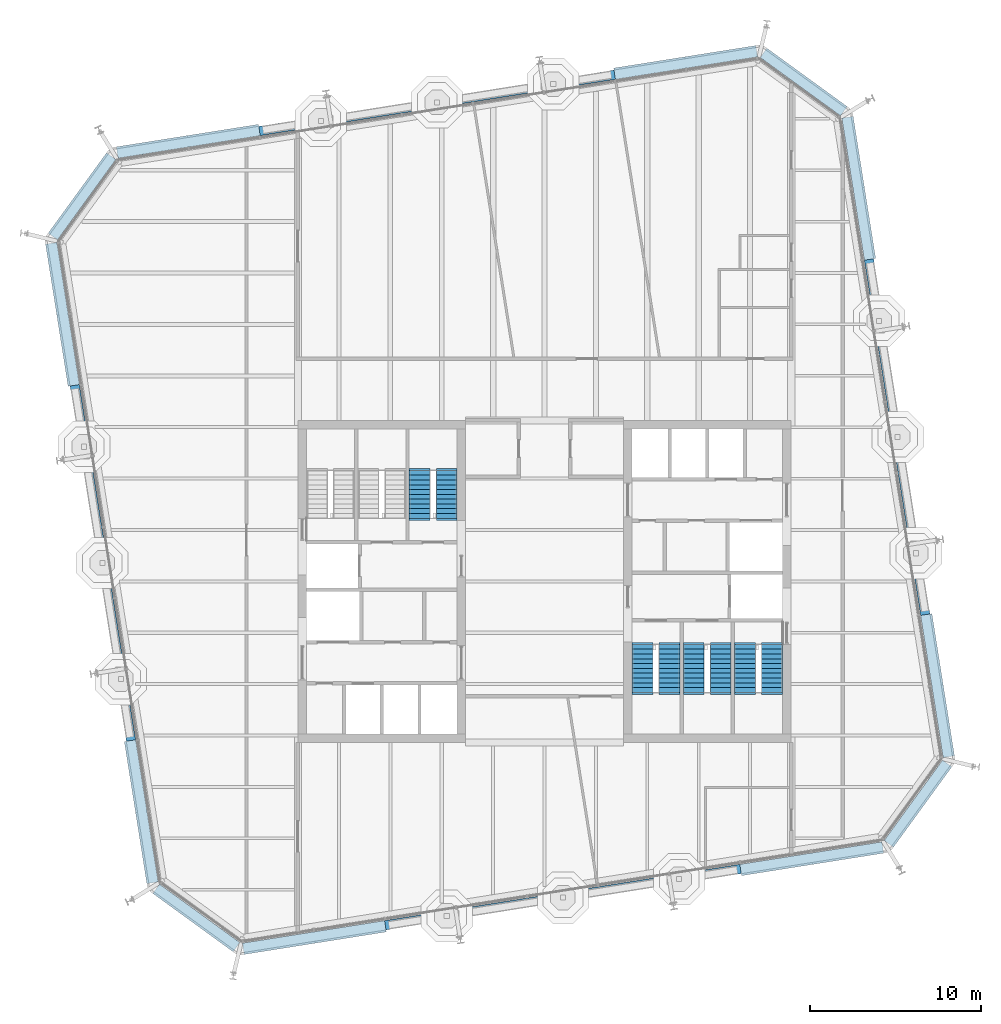
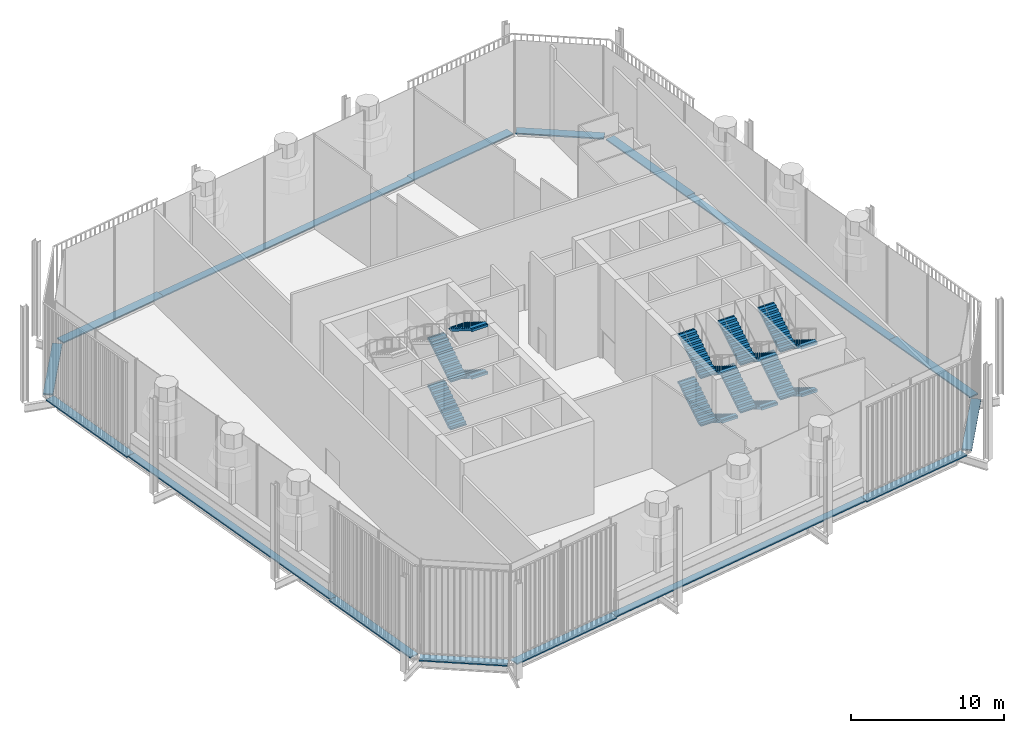
# One storey, part 14 of 17: 16 discrete accessories, 16 stair flights, 4 elements without a shape of their own.
"""IFC4 building model written with IfcOpenShell, lengths in metres."""

import ifcopenshell
import ifcopenshell.guid

model = None  # the IFC model being written
_history = None  # IfcOwnerHistory: only IFC2X3 demands one
_inside = {}  # id of a spatial element -> (the spatial element, [elements in it])
_under = {}  # id of a project, library or spatial element -> (it, [spatial elements below it])
_declared = {}  # id of a project -> (the project, [libraries it declares])
_typed = {}  # id of a type object -> (the type object, [elements of that type])
_made_of = {}  # id of a material, layer set ... -> (it, [elements and type objects made of it])


def new_model(schema):
    """Start an empty IFC model of exactly this schema.

    Asked for "IFC4X3", IfcOpenShell would pick the latest addendum, in which some entities
    have other attributes; the version numbers below select the first issue.
    IFC2X3 requires an IfcOwnerHistory on every rooted entity: one is made here for all.
    """
    global model, _history
    if schema == "IFC4X3":
        model = ifcopenshell.file(schema_version=(4, 3, 0, 0))
    else:
        model = ifcopenshell.file(schema=schema)
    _inside.clear()
    _under.clear()
    _declared.clear()
    _typed.clear()
    _made_of.clear()
    _history = None
    if model.schema == "IFC2X3":
        org = make("IfcOrganization", Name="unknown")
        user = make(
            "IfcPersonAndOrganization",
            ThePerson=make("IfcPerson", FamilyName="unknown"),
            TheOrganization=org,
        )
        app = make(
            "IfcApplication",
            ApplicationDeveloper=org,
            Version="unknown",
            ApplicationFullName="unknown",
            ApplicationIdentifier="unknown",
        )
        _history = make(
            "IfcOwnerHistory",
            OwningUser=user,
            OwningApplication=app,
            ChangeAction="ADDED",
            CreationDate=0,
        )
    return model


def make(cls, **values):
    """One entity of the class cls with the attributes given. An attribute that is None is left unset."""
    return model.create_entity(
        cls, **{name: value for name, value in values.items() if value is not None}
    )


def rooted(cls, **values):
    """An entity with a GlobalId (a new one), such as an element, a storey or a relation."""
    return make(cls, GlobalId=ifcopenshell.guid.new(), OwnerHistory=_history, **values)


def si_unit(unit_type, name, prefix=None):
    """IfcSIUnit, for example si_unit("LENGTHUNIT", "METRE", prefix="MILLI")."""
    return make("IfcSIUnit", UnitType=unit_type, Prefix=prefix, Name=name)


def assignment(units):
    """IfcUnitAssignment: the units of a project."""
    return None if units is None else make("IfcUnitAssignment", Units=units)


def point(xyz):
    """IfcCartesianPoint."""
    return None if xyz is None else make("IfcCartesianPoint", Coordinates=xyz)


def direction(xyz):
    """IfcDirection."""
    return None if xyz is None else make("IfcDirection", DirectionRatios=xyz)


def frame(location, z_axis=None, x_axis=None):
    """IfcAxis2Placement3D, a coordinate frame: its origin and axes. An axis left out is left unset."""
    return make(
        "IfcAxis2Placement3D",
        Location=point(location),
        Axis=direction(z_axis),
        RefDirection=direction(x_axis),
    )


def frame_2d(location, x_axis=None):
    """IfcAxis2Placement2D, a coordinate frame in the plane: its origin and x axis."""
    return make(
        "IfcAxis2Placement2D", Location=point(location), RefDirection=direction(x_axis)
    )


def origin():
    """The frame at (0, 0, 0) with its axes left unset."""
    return frame((0.0, 0.0, 0.0))


def origin_2d():
    """The frame at (0, 0) in the plane with its x axis left unset."""
    return frame_2d((0.0, 0.0))


def place(relative_to, where):
    """IfcLocalPlacement: puts the frame where relative to a parent placement (None: the world)."""
    return make(
        "IfcLocalPlacement", PlacementRelTo=relative_to, RelativePlacement=where
    )


def context(
    kind, dimensions, precision=None, world=None, true_north=None, identifier=None
):
    """IfcGeometricRepresentationContext, for example the 3D "Model" context."""
    return make(
        "IfcGeometricRepresentationContext",
        ContextIdentifier=identifier,
        ContextType=kind,
        CoordinateSpaceDimension=dimensions,
        Precision=precision,
        WorldCoordinateSystem=world,
        TrueNorth=true_north,
    )


def subcontext(parent, identifier, kind, view, scale=None):
    """IfcGeometricRepresentationSubContext, for example "Body" below "Model"."""
    return make(
        "IfcGeometricRepresentationSubContext",
        ContextIdentifier=identifier,
        ContextType=kind,
        ParentContext=parent,
        TargetScale=scale,
        TargetView=view,
    )


def project(units=None, contexts=None):
    """IfcProject with its units and contexts."""
    return rooted(
        "IfcProject",
        Name="project",
        RepresentationContexts=contexts,
        UnitsInContext=assignment(units),
    )


def spatial(cls, under=None, at=None, **own):
    """A site, building, storey or space (cls), placed at a placement, below another one or the project."""
    s = rooted(cls, ObjectPlacement=at, **own)
    if under is not None:
        _under.setdefault(under.id(), (under, []))[1].append(s)
    return s


def polyline(points):
    """IfcPolyline through the points."""
    return make("IfcPolyline", Points=[point(p) for p in points])


def profile(cls, at=None, kind="AREA", **sizes):
    """A parametric profile (cls). Its sizes go by their IFC names, for example OverallWidth=200.0."""
    return make(cls, ProfileType=kind, Position=at, **sizes)


def rectangle(**sizes):
    """IfcRectangleProfileDef."""
    return profile("IfcRectangleProfileDef", **sizes)


def outline(outer, holes=None, kind="AREA"):
    """IfcArbitraryClosedProfileDef: a profile drawn as a closed curve; with holes, ...WithVoids."""
    if holes is None:
        return make("IfcArbitraryClosedProfileDef", ProfileType=kind, OuterCurve=outer)
    return make(
        "IfcArbitraryProfileDefWithVoids",
        ProfileType=kind,
        OuterCurve=outer,
        InnerCurves=holes,
    )


def extrude(swept, where, along, depth):
    """IfcExtrudedAreaSolid: the profile swept, set in the frame where, extruded along a direction by depth."""
    return make(
        "IfcExtrudedAreaSolid",
        SweptArea=swept,
        Position=where,
        ExtrudedDirection=direction(along),
        Depth=depth,
    )


def shape(context_of_items, identifier, shape_type, items):
    """IfcShapeRepresentation: the items that make up one representation, for example the "Body"."""
    return make(
        "IfcShapeRepresentation",
        ContextOfItems=context_of_items,
        RepresentationIdentifier=identifier,
        RepresentationType=shape_type,
        Items=items,
    )


def material(Name=None, Category=None):
    """IfcMaterial."""
    return make("IfcMaterial", Name=Name, Category=Category)


def made_of(thing, what):
    """Note that an element or type object is made of a material, layer set ...; save() writes the relation."""
    if what is not None:
        _made_of.setdefault(what.id(), (what, []))[1].append(thing)
    return thing


def type_object(cls, material=None, **own):
    """A type object (cls), such as IfcWallType, which elements share."""
    return made_of(rooted(cls, **own), material)


def element(
    cls,
    number,
    at=None,
    inside=None,
    cuts=None,
    type_object=None,
    material=None,
    context=None,
    identifier="Body",
    shape_type=None,
    held_by="IfcProductDefinitionShape",
    body=None,
    shapes=None,
    **own,
):
    """One element of the class cls, such as IfcWall. Its Tag is "e" and its number.

    at: its placement. inside: the storey or other place that contains it. cuts: it is an
    opening in that element (IfcRelVoidsElement). A single representation is given by context,
    identifier, shape_type and body (its items); several are given by shapes. held_by: the class
    of the entity that holds the representations. save() writes the other relations.
    """
    e = rooted(cls, Tag="e%d" % number, ObjectPlacement=at, **own)
    if body is not None:
        shapes = [shape(context, identifier, shape_type, body)]
    if shapes is not None:
        e.Representation = make(held_by, Representations=shapes)
    if inside is not None:
        _inside.setdefault(inside.id(), (inside, []))[1].append(e)
    if cuts is not None:
        rooted(
            "IfcRelVoidsElement", RelatingBuildingElement=cuts, RelatedOpeningElement=e
        )
    if type_object is not None:
        _typed.setdefault(type_object.id(), (type_object, []))[1].append(e)
    return made_of(e, material)


def aggregate(whole, parts):
    """IfcRelAggregates: a whole, such as a stair, and the parts it consists of."""
    return rooted("IfcRelAggregates", RelatingObject=whole, RelatedObjects=parts)


def save(model, path):
    """Write the relations noted so far, then the file.

    IfcRelAggregates (storeys below a building ...), IfcRelContainedInSpatialStructure (elements
    in a storey), IfcRelDefinesByType, IfcRelAssociatesMaterial and IfcRelDeclares: one each for
    every whole, place, type object, material and project.
    """
    for whole, parts in _under.values():
        aggregate(whole, parts)
    for where, things in _inside.values():
        rooted(
            "IfcRelContainedInSpatialStructure",
            RelatedElements=things,
            RelatingStructure=where,
        )
    for kind, things in _typed.values():
        rooted("IfcRelDefinesByType", RelatedObjects=things, RelatingType=kind)
    for what, things in _made_of.values():
        rooted("IfcRelAssociatesMaterial", RelatedObjects=things, RelatingMaterial=what)
    for by, libraries in _declared.values():
        rooted("IfcRelDeclares", RelatingContext=by, RelatedDefinitions=libraries)
    model.write(path)


model = new_model("IFC4")

# Units and contexts
model_context = context("Model", 3, precision=1e-05, world=origin(), true_north=direction((0.0, 1.0)))
body_context = subcontext(model_context, "Body", "Model", "MODEL_VIEW")
ifc_project = project(units=[si_unit("LENGTHUNIT", "METRE"), si_unit("AREAUNIT", "SQUARE_METRE"), si_unit("VOLUMEUNIT", "CUBIC_METRE"), si_unit("PLANEANGLEUNIT", "RADIAN"), si_unit("MASSUNIT", "GRAM", prefix="KILO")], contexts=[model_context])

# Site, building, storey
site_placement = place(None, origin())
site = spatial("IfcSite", under=ifc_project, at=site_placement, CompositionType="ELEMENT")
building_placement = place(site_placement, origin())
building = spatial("IfcBuilding", under=site, at=building_placement, Name="Millrace Tower", CompositionType="ELEMENT")
storey_placement = place(building_placement, frame((0.0, 0.0, 239.800048828125)))
storey = spatial("IfcBuildingStorey", under=building, at=storey_placement, Name="L55", CompositionType="ELEMENT", Elevation=239.800048828125)

# Stair, stair flights
ifc_material_1 = material(Name="Concrete C35", Category="concrete")
stair_type = type_object("IfcStairType", Name="Exit stair", PredefinedType="HALF_TURN_STAIR", material=ifc_material_1)
placement = place(storey_placement, origin())
stair_1 = element("IfcStair", 1, at=placement, inside=storey, type_object=stair_type, Name="Stair 3 W L55", PredefinedType="HALF_TURN_STAIR")
ifc_material_2 = material(Name="Concrete C35", Category="concrete")
stair_flight_type = type_object("IfcStairFlightType", Name="Exit stair flight", PredefinedType="STRAIGHT", material=ifc_material_2)
stair_flight_1_placement = place(storey_placement, frame((-7.2900390625, 3.679931640625, 0.0), z_axis=(0.0, 0.0, 1.0), x_axis=(0.0, 1.0, 0.0)))
stair_flight_1 = element("IfcStairFlight", 2, at=stair_flight_1_placement, type_object=stair_flight_type, Name="ST12 flight 1", NumberOfRisers=11, NumberOfTreads=10, PredefinedType="STRAIGHT", RiserHeight=0.172727273, TreadLength=0.28, context=body_context, shape_type="SweptSolid", body=[
    extrude(outline(polyline([(-0.1201171875, -0.0400390625), (-0.1201171875, 0.0), (0.0, 0.0), (0.0, 0.172607421875), (0.280029296875, 0.172607421875), (0.280029296875, 0.345458984375), (0.56005859375, 0.345458984375), (0.56005859375, 0.51806640625), (0.840087890625, 0.51806640625), (0.840087890625, 0.69091796875), (1.1201171875, 0.69091796875), (1.1201171875, 0.863525390625), (1.39990234375, 0.863525390625), (1.39990234375, 1.036376953125), (1.679931640625, 1.036376953125), (1.679931640625, 1.208984375), (1.9599609375, 1.208984375), (1.9599609375, 1.3818359375), (2.239990234375, 1.3818359375), (2.239990234375, 1.554443359375), (2.52001953125, 1.554443359375), (2.52001953125, 1.727294921875), (2.800048828125, 1.727294921875), (2.800048828125, 1.747314453125), (2.919921875, 1.747314453125), (2.919921875, 1.551025390625), (2.800048828125, 1.551025390625), (0.285400390625, 0.0), (0.285400390625, -0.0400390625), (-0.1201171875, -0.0400390625)])), frame((0.0, 0.60986328125, 0.0), z_axis=(0.0, -1.0, 0.0), x_axis=(1.0, 0.0, 0.0)), (0.0, 0.0, 1.0), 1.219970703125),
])
stair_flight_2_placement = place(storey_placement, frame((-5.7099609375, 6.47998046875, 1.89990234375), z_axis=(0.0, 0.0, 1.0), x_axis=(0.0, -1.0, 0.0)))
stair_flight_2 = element("IfcStairFlight", 3, at=stair_flight_2_placement, type_object=stair_flight_type, Name="ST12 flight 2", NumberOfRisers=11, NumberOfTreads=10, PredefinedType="STRAIGHT", RiserHeight=0.172727273, TreadLength=0.28, context=body_context, shape_type="SweptSolid", body=[
    extrude(outline(polyline([(-0.1201171875, -0.0400390625), (-0.1201171875, 0.0), (0.0, 0.0), (0.0, 0.172607421875), (0.280029296875, 0.172607421875), (0.280029296875, 0.345458984375), (0.56005859375, 0.345458984375), (0.56005859375, 0.51806640625), (0.840087890625, 0.51806640625), (0.840087890625, 0.69091796875), (1.1201171875, 0.69091796875), (1.1201171875, 0.863525390625), (1.39990234375, 0.863525390625), (1.39990234375, 1.036376953125), (1.679931640625, 1.036376953125), (1.679931640625, 1.208984375), (1.9599609375, 1.208984375), (1.9599609375, 1.3818359375), (2.239990234375, 1.3818359375), (2.239990234375, 1.554443359375), (2.52001953125, 1.554443359375), (2.52001953125, 1.727294921875), (2.800048828125, 1.727294921875), (2.800048828125, 1.747314453125), (2.919921875, 1.747314453125), (2.919921875, 1.551025390625), (2.800048828125, 1.551025390625), (0.285400390625, 0.0), (0.285400390625, -0.0400390625), (-0.1201171875, -0.0400390625)])), frame((0.0, 0.60986328125, 0.0), z_axis=(0.0, -1.0, 0.0), x_axis=(1.0, 0.0, 0.0)), (0.0, 0.0, 1.0), 1.219970703125),
])
stair_flight_3_placement = place(storey_placement, frame((-7.2900390625, 3.679931640625, 3.800048828125), z_axis=(0.0, 0.0, 1.0), x_axis=(0.0, 1.0, 0.0)))
stair_flight_3 = element("IfcStairFlight", 4, at=stair_flight_3_placement, type_object=stair_flight_type, Name="ST12 flight 3", NumberOfRisers=11, NumberOfTreads=10, PredefinedType="STRAIGHT", RiserHeight=0.172727273, TreadLength=0.28, context=body_context, shape_type="SweptSolid", body=[
    extrude(outline(polyline([(-0.1201171875, -0.0400390625), (-0.1201171875, 0.0), (0.0, 0.0), (0.0, 0.172607421875), (0.280029296875, 0.172607421875), (0.280029296875, 0.345458984375), (0.56005859375, 0.345458984375), (0.56005859375, 0.51806640625), (0.840087890625, 0.51806640625), (0.840087890625, 0.69091796875), (1.1201171875, 0.69091796875), (1.1201171875, 0.863525390625), (1.39990234375, 0.863525390625), (1.39990234375, 1.036376953125), (1.679931640625, 1.036376953125), (1.679931640625, 1.208984375), (1.9599609375, 1.208984375), (1.9599609375, 1.3818359375), (2.239990234375, 1.3818359375), (2.239990234375, 1.554443359375), (2.52001953125, 1.554443359375), (2.52001953125, 1.727294921875), (2.800048828125, 1.727294921875), (2.800048828125, 1.747314453125), (2.919921875, 1.747314453125), (2.919921875, 1.551025390625), (2.800048828125, 1.551025390625), (0.285400390625, 0.0), (0.285400390625, -0.0400390625), (-0.1201171875, -0.0400390625)])), frame((0.0, 0.60986328125, 0.0), z_axis=(0.0, -1.0, 0.0), x_axis=(1.0, 0.0, 0.0)), (0.0, 0.0, 1.0), 1.219970703125),
])
stair_flight_4_placement = place(storey_placement, frame((-5.7099609375, 6.47998046875, 5.699951171875), z_axis=(0.0, 0.0, 1.0), x_axis=(0.0, -1.0, 0.0)))
stair_flight_4 = element("IfcStairFlight", 5, at=stair_flight_4_placement, type_object=stair_flight_type, Name="ST12 flight 4", NumberOfRisers=11, NumberOfTreads=10, PredefinedType="STRAIGHT", RiserHeight=0.172727273, TreadLength=0.28, context=body_context, shape_type="SweptSolid", body=[
    extrude(outline(polyline([(-0.1201171875, -0.0400390625), (-0.1201171875, 0.0), (0.0, 0.0), (0.0, 0.172607421875), (0.280029296875, 0.172607421875), (0.280029296875, 0.345458984375), (0.56005859375, 0.345458984375), (0.56005859375, 0.51806640625), (0.840087890625, 0.51806640625), (0.840087890625, 0.69091796875), (1.1201171875, 0.69091796875), (1.1201171875, 0.863525390625), (1.39990234375, 0.863525390625), (1.39990234375, 1.036376953125), (1.679931640625, 1.036376953125), (1.679931640625, 1.208984375), (1.9599609375, 1.208984375), (1.9599609375, 1.3818359375), (2.239990234375, 1.3818359375), (2.239990234375, 1.554443359375), (2.52001953125, 1.554443359375), (2.52001953125, 1.727294921875), (2.800048828125, 1.727294921875), (2.800048828125, 1.747314453125), (2.919921875, 1.747314453125), (2.919921875, 1.551025390625), (2.800048828125, 1.551025390625), (0.285400390625, 0.0), (0.285400390625, -0.0400390625), (-0.1201171875, -0.0400390625)])), frame((0.0, 0.60986328125, 0.0), z_axis=(0.0, -1.0, 0.0), x_axis=(1.0, 0.0, 0.0)), (0.0, 0.0, 1.0), 1.219970703125),
])
aggregate(stair_1, [stair_flight_1, stair_flight_2, stair_flight_3, stair_flight_4])

stair_2 = element("IfcStair", 6, at=placement, inside=storey, type_object=stair_type, Name="Stair 1 E L55", PredefinedType="HALF_TURN_STAIR")
stair_flight_5_placement = place(storey_placement, frame((13.2900390625, -3.679931640625, 0.0), z_axis=(0.0, 0.0, 1.0), x_axis=(0.0, -1.0, 0.0)))
stair_flight_5 = element("IfcStairFlight", 7, at=stair_flight_5_placement, type_object=stair_flight_type, Name="ST12 flight 1", NumberOfRisers=11, NumberOfTreads=10, PredefinedType="STRAIGHT", RiserHeight=0.172727273, TreadLength=0.28, context=body_context, shape_type="SweptSolid", body=[
    extrude(outline(polyline([(-0.1201171875, -0.0400390625), (-0.1201171875, 0.0), (0.0, 0.0), (0.0, 0.172607421875), (0.280029296875, 0.172607421875), (0.280029296875, 0.345458984375), (0.56005859375, 0.345458984375), (0.56005859375, 0.51806640625), (0.840087890625, 0.51806640625), (0.840087890625, 0.69091796875), (1.1201171875, 0.69091796875), (1.1201171875, 0.863525390625), (1.39990234375, 0.863525390625), (1.39990234375, 1.036376953125), (1.679931640625, 1.036376953125), (1.679931640625, 1.208984375), (1.9599609375, 1.208984375), (1.9599609375, 1.3818359375), (2.239990234375, 1.3818359375), (2.239990234375, 1.554443359375), (2.52001953125, 1.554443359375), (2.52001953125, 1.727294921875), (2.800048828125, 1.727294921875), (2.800048828125, 1.747314453125), (2.919921875, 1.747314453125), (2.919921875, 1.551025390625), (2.800048828125, 1.551025390625), (0.285400390625, 0.0), (0.285400390625, -0.0400390625), (-0.1201171875, -0.0400390625)])), frame((0.0, 0.60986328125, 0.0), z_axis=(0.0, -1.0, 0.0), x_axis=(1.0, 0.0, 0.0)), (0.0, 0.0, 1.0), 1.219970703125),
])
stair_flight_6_placement = place(storey_placement, frame((11.7099609375, -6.47998046875, 1.89990234375), z_axis=(0.0, 0.0, 1.0), x_axis=(0.0, 1.0, 0.0)))
stair_flight_6 = element("IfcStairFlight", 8, at=stair_flight_6_placement, type_object=stair_flight_type, Name="ST12 flight 2", NumberOfRisers=11, NumberOfTreads=10, PredefinedType="STRAIGHT", RiserHeight=0.172727273, TreadLength=0.28, context=body_context, shape_type="SweptSolid", body=[
    extrude(outline(polyline([(-0.1201171875, -0.0400390625), (-0.1201171875, 0.0), (0.0, 0.0), (0.0, 0.172607421875), (0.280029296875, 0.172607421875), (0.280029296875, 0.345458984375), (0.56005859375, 0.345458984375), (0.56005859375, 0.51806640625), (0.840087890625, 0.51806640625), (0.840087890625, 0.69091796875), (1.1201171875, 0.69091796875), (1.1201171875, 0.863525390625), (1.39990234375, 0.863525390625), (1.39990234375, 1.036376953125), (1.679931640625, 1.036376953125), (1.679931640625, 1.208984375), (1.9599609375, 1.208984375), (1.9599609375, 1.3818359375), (2.239990234375, 1.3818359375), (2.239990234375, 1.554443359375), (2.52001953125, 1.554443359375), (2.52001953125, 1.727294921875), (2.800048828125, 1.727294921875), (2.800048828125, 1.747314453125), (2.919921875, 1.747314453125), (2.919921875, 1.551025390625), (2.800048828125, 1.551025390625), (0.285400390625, 0.0), (0.285400390625, -0.0400390625), (-0.1201171875, -0.0400390625)])), frame((0.0, 0.60986328125, 0.0), z_axis=(0.0, -1.0, 0.0), x_axis=(1.0, 0.0, 0.0)), (0.0, 0.0, 1.0), 1.219970703125),
])
stair_flight_7_placement = place(storey_placement, frame((13.2900390625, -3.679931640625, 3.800048828125), z_axis=(0.0, 0.0, 1.0), x_axis=(0.0, -1.0, 0.0)))
stair_flight_7 = element("IfcStairFlight", 9, at=stair_flight_7_placement, type_object=stair_flight_type, Name="ST12 flight 3", NumberOfRisers=11, NumberOfTreads=10, PredefinedType="STRAIGHT", RiserHeight=0.172727273, TreadLength=0.28, context=body_context, shape_type="SweptSolid", body=[
    extrude(outline(polyline([(-0.1201171875, -0.0400390625), (-0.1201171875, 0.0), (0.0, 0.0), (0.0, 0.172607421875), (0.280029296875, 0.172607421875), (0.280029296875, 0.345458984375), (0.56005859375, 0.345458984375), (0.56005859375, 0.51806640625), (0.840087890625, 0.51806640625), (0.840087890625, 0.69091796875), (1.1201171875, 0.69091796875), (1.1201171875, 0.863525390625), (1.39990234375, 0.863525390625), (1.39990234375, 1.036376953125), (1.679931640625, 1.036376953125), (1.679931640625, 1.208984375), (1.9599609375, 1.208984375), (1.9599609375, 1.3818359375), (2.239990234375, 1.3818359375), (2.239990234375, 1.554443359375), (2.52001953125, 1.554443359375), (2.52001953125, 1.727294921875), (2.800048828125, 1.727294921875), (2.800048828125, 1.747314453125), (2.919921875, 1.747314453125), (2.919921875, 1.551025390625), (2.800048828125, 1.551025390625), (0.285400390625, 0.0), (0.285400390625, -0.0400390625), (-0.1201171875, -0.0400390625)])), frame((0.0, 0.60986328125, 0.0), z_axis=(0.0, -1.0, 0.0), x_axis=(1.0, 0.0, 0.0)), (0.0, 0.0, 1.0), 1.219970703125),
])
stair_flight_8_placement = place(storey_placement, frame((11.7099609375, -6.47998046875, 5.699951171875), z_axis=(0.0, 0.0, 1.0), x_axis=(0.0, 1.0, 0.0)))
stair_flight_8 = element("IfcStairFlight", 10, at=stair_flight_8_placement, type_object=stair_flight_type, Name="ST12 flight 4", NumberOfRisers=11, NumberOfTreads=10, PredefinedType="STRAIGHT", RiserHeight=0.172727273, TreadLength=0.28, context=body_context, shape_type="SweptSolid", body=[
    extrude(outline(polyline([(-0.1201171875, -0.0400390625), (-0.1201171875, 0.0), (0.0, 0.0), (0.0, 0.172607421875), (0.280029296875, 0.172607421875), (0.280029296875, 0.345458984375), (0.56005859375, 0.345458984375), (0.56005859375, 0.51806640625), (0.840087890625, 0.51806640625), (0.840087890625, 0.69091796875), (1.1201171875, 0.69091796875), (1.1201171875, 0.863525390625), (1.39990234375, 0.863525390625), (1.39990234375, 1.036376953125), (1.679931640625, 1.036376953125), (1.679931640625, 1.208984375), (1.9599609375, 1.208984375), (1.9599609375, 1.3818359375), (2.239990234375, 1.3818359375), (2.239990234375, 1.554443359375), (2.52001953125, 1.554443359375), (2.52001953125, 1.727294921875), (2.800048828125, 1.727294921875), (2.800048828125, 1.747314453125), (2.919921875, 1.747314453125), (2.919921875, 1.551025390625), (2.800048828125, 1.551025390625), (0.285400390625, 0.0), (0.285400390625, -0.0400390625), (-0.1201171875, -0.0400390625)])), frame((0.0, 0.60986328125, 0.0), z_axis=(0.0, -1.0, 0.0), x_axis=(1.0, 0.0, 0.0)), (0.0, 0.0, 1.0), 1.219970703125),
])
aggregate(stair_2, [stair_flight_5, stair_flight_6, stair_flight_7, stair_flight_8])

stair_3 = element("IfcStair", 11, at=placement, inside=storey, type_object=stair_type, Name="Stair 2 E L55", PredefinedType="HALF_TURN_STAIR")
stair_flight_9_placement = place(storey_placement, frame((10.2900390625, -3.679931640625, 0.0), z_axis=(0.0, 0.0, 1.0), x_axis=(0.0, -1.0, 0.0)))
stair_flight_9 = element("IfcStairFlight", 12, at=stair_flight_9_placement, type_object=stair_flight_type, Name="ST12 flight 1", NumberOfRisers=11, NumberOfTreads=10, PredefinedType="STRAIGHT", RiserHeight=0.172727273, TreadLength=0.28, context=body_context, shape_type="SweptSolid", body=[
    extrude(outline(polyline([(-0.1201171875, -0.0400390625), (-0.1201171875, 0.0), (0.0, 0.0), (0.0, 0.172607421875), (0.280029296875, 0.172607421875), (0.280029296875, 0.345458984375), (0.56005859375, 0.345458984375), (0.56005859375, 0.51806640625), (0.840087890625, 0.51806640625), (0.840087890625, 0.69091796875), (1.1201171875, 0.69091796875), (1.1201171875, 0.863525390625), (1.39990234375, 0.863525390625), (1.39990234375, 1.036376953125), (1.679931640625, 1.036376953125), (1.679931640625, 1.208984375), (1.9599609375, 1.208984375), (1.9599609375, 1.3818359375), (2.239990234375, 1.3818359375), (2.239990234375, 1.554443359375), (2.52001953125, 1.554443359375), (2.52001953125, 1.727294921875), (2.800048828125, 1.727294921875), (2.800048828125, 1.747314453125), (2.919921875, 1.747314453125), (2.919921875, 1.551025390625), (2.800048828125, 1.551025390625), (0.285400390625, 0.0), (0.285400390625, -0.0400390625), (-0.1201171875, -0.0400390625)])), frame((0.0, 0.60986328125, 0.0), z_axis=(0.0, -1.0, 0.0), x_axis=(1.0, 0.0, 0.0)), (0.0, 0.0, 1.0), 1.219970703125),
])
stair_flight_10_placement = place(storey_placement, frame((8.7099609375, -6.47998046875, 1.89990234375), z_axis=(0.0, 0.0, 1.0), x_axis=(0.0, 1.0, 0.0)))
stair_flight_10 = element("IfcStairFlight", 13, at=stair_flight_10_placement, type_object=stair_flight_type, Name="ST12 flight 2", NumberOfRisers=11, NumberOfTreads=10, PredefinedType="STRAIGHT", RiserHeight=0.172727273, TreadLength=0.28, context=body_context, shape_type="SweptSolid", body=[
    extrude(outline(polyline([(-0.1201171875, -0.0400390625), (-0.1201171875, 0.0), (0.0, 0.0), (0.0, 0.172607421875), (0.280029296875, 0.172607421875), (0.280029296875, 0.345458984375), (0.56005859375, 0.345458984375), (0.56005859375, 0.51806640625), (0.840087890625, 0.51806640625), (0.840087890625, 0.69091796875), (1.1201171875, 0.69091796875), (1.1201171875, 0.863525390625), (1.39990234375, 0.863525390625), (1.39990234375, 1.036376953125), (1.679931640625, 1.036376953125), (1.679931640625, 1.208984375), (1.9599609375, 1.208984375), (1.9599609375, 1.3818359375), (2.239990234375, 1.3818359375), (2.239990234375, 1.554443359375), (2.52001953125, 1.554443359375), (2.52001953125, 1.727294921875), (2.800048828125, 1.727294921875), (2.800048828125, 1.747314453125), (2.919921875, 1.747314453125), (2.919921875, 1.551025390625), (2.800048828125, 1.551025390625), (0.285400390625, 0.0), (0.285400390625, -0.0400390625), (-0.1201171875, -0.0400390625)])), frame((0.0, 0.60986328125, 0.0), z_axis=(0.0, -1.0, 0.0), x_axis=(1.0, 0.0, 0.0)), (0.0, 0.0, 1.0), 1.219970703125),
])
stair_flight_11_placement = place(storey_placement, frame((10.2900390625, -3.679931640625, 3.800048828125), z_axis=(0.0, 0.0, 1.0), x_axis=(0.0, -1.0, 0.0)))
stair_flight_11 = element("IfcStairFlight", 14, at=stair_flight_11_placement, type_object=stair_flight_type, Name="ST12 flight 3", NumberOfRisers=11, NumberOfTreads=10, PredefinedType="STRAIGHT", RiserHeight=0.172727273, TreadLength=0.28, context=body_context, shape_type="SweptSolid", body=[
    extrude(outline(polyline([(-0.1201171875, -0.0400390625), (-0.1201171875, 0.0), (0.0, 0.0), (0.0, 0.172607421875), (0.280029296875, 0.172607421875), (0.280029296875, 0.345458984375), (0.56005859375, 0.345458984375), (0.56005859375, 0.51806640625), (0.840087890625, 0.51806640625), (0.840087890625, 0.69091796875), (1.1201171875, 0.69091796875), (1.1201171875, 0.863525390625), (1.39990234375, 0.863525390625), (1.39990234375, 1.036376953125), (1.679931640625, 1.036376953125), (1.679931640625, 1.208984375), (1.9599609375, 1.208984375), (1.9599609375, 1.3818359375), (2.239990234375, 1.3818359375), (2.239990234375, 1.554443359375), (2.52001953125, 1.554443359375), (2.52001953125, 1.727294921875), (2.800048828125, 1.727294921875), (2.800048828125, 1.747314453125), (2.919921875, 1.747314453125), (2.919921875, 1.551025390625), (2.800048828125, 1.551025390625), (0.285400390625, 0.0), (0.285400390625, -0.0400390625), (-0.1201171875, -0.0400390625)])), frame((0.0, 0.60986328125, 0.0), z_axis=(0.0, -1.0, 0.0), x_axis=(1.0, 0.0, 0.0)), (0.0, 0.0, 1.0), 1.219970703125),
])
stair_flight_12_placement = place(storey_placement, frame((8.7099609375, -6.47998046875, 5.699951171875), z_axis=(0.0, 0.0, 1.0), x_axis=(0.0, 1.0, 0.0)))
stair_flight_12 = element("IfcStairFlight", 15, at=stair_flight_12_placement, type_object=stair_flight_type, Name="ST12 flight 4", NumberOfRisers=11, NumberOfTreads=10, PredefinedType="STRAIGHT", RiserHeight=0.172727273, TreadLength=0.28, context=body_context, shape_type="SweptSolid", body=[
    extrude(outline(polyline([(-0.1201171875, -0.0400390625), (-0.1201171875, 0.0), (0.0, 0.0), (0.0, 0.172607421875), (0.280029296875, 0.172607421875), (0.280029296875, 0.345458984375), (0.56005859375, 0.345458984375), (0.56005859375, 0.51806640625), (0.840087890625, 0.51806640625), (0.840087890625, 0.69091796875), (1.1201171875, 0.69091796875), (1.1201171875, 0.863525390625), (1.39990234375, 0.863525390625), (1.39990234375, 1.036376953125), (1.679931640625, 1.036376953125), (1.679931640625, 1.208984375), (1.9599609375, 1.208984375), (1.9599609375, 1.3818359375), (2.239990234375, 1.3818359375), (2.239990234375, 1.554443359375), (2.52001953125, 1.554443359375), (2.52001953125, 1.727294921875), (2.800048828125, 1.727294921875), (2.800048828125, 1.747314453125), (2.919921875, 1.747314453125), (2.919921875, 1.551025390625), (2.800048828125, 1.551025390625), (0.285400390625, 0.0), (0.285400390625, -0.0400390625), (-0.1201171875, -0.0400390625)])), frame((0.0, 0.60986328125, 0.0), z_axis=(0.0, -1.0, 0.0), x_axis=(1.0, 0.0, 0.0)), (0.0, 0.0, 1.0), 1.219970703125),
])
aggregate(stair_3, [stair_flight_9, stair_flight_10, stair_flight_11, stair_flight_12])

stair_4 = element("IfcStair", 16, at=placement, inside=storey, type_object=stair_type, Name="Stair 3 E L55", PredefinedType="HALF_TURN_STAIR")
stair_flight_13_placement = place(storey_placement, frame((7.2900390625, -3.679931640625, 0.0), z_axis=(0.0, 0.0, 1.0), x_axis=(0.0, -1.0, 0.0)))
stair_flight_13 = element("IfcStairFlight", 17, at=stair_flight_13_placement, type_object=stair_flight_type, Name="ST12 flight 1", NumberOfRisers=11, NumberOfTreads=10, PredefinedType="STRAIGHT", RiserHeight=0.172727273, TreadLength=0.28, context=body_context, shape_type="SweptSolid", body=[
    extrude(outline(polyline([(-0.1201171875, -0.0400390625), (-0.1201171875, 0.0), (0.0, 0.0), (0.0, 0.172607421875), (0.280029296875, 0.172607421875), (0.280029296875, 0.345458984375), (0.56005859375, 0.345458984375), (0.56005859375, 0.51806640625), (0.840087890625, 0.51806640625), (0.840087890625, 0.69091796875), (1.1201171875, 0.69091796875), (1.1201171875, 0.863525390625), (1.39990234375, 0.863525390625), (1.39990234375, 1.036376953125), (1.679931640625, 1.036376953125), (1.679931640625, 1.208984375), (1.9599609375, 1.208984375), (1.9599609375, 1.3818359375), (2.239990234375, 1.3818359375), (2.239990234375, 1.554443359375), (2.52001953125, 1.554443359375), (2.52001953125, 1.727294921875), (2.800048828125, 1.727294921875), (2.800048828125, 1.747314453125), (2.919921875, 1.747314453125), (2.919921875, 1.551025390625), (2.800048828125, 1.551025390625), (0.285400390625, 0.0), (0.285400390625, -0.0400390625), (-0.1201171875, -0.0400390625)])), frame((0.0, 0.60986328125, 0.0), z_axis=(0.0, -1.0, 0.0), x_axis=(1.0, 0.0, 0.0)), (0.0, 0.0, 1.0), 1.219970703125),
])
stair_flight_14_placement = place(storey_placement, frame((5.7099609375, -6.47998046875, 1.89990234375), z_axis=(0.0, 0.0, 1.0), x_axis=(0.0, 1.0, 0.0)))
stair_flight_14 = element("IfcStairFlight", 18, at=stair_flight_14_placement, type_object=stair_flight_type, Name="ST12 flight 2", NumberOfRisers=11, NumberOfTreads=10, PredefinedType="STRAIGHT", RiserHeight=0.172727273, TreadLength=0.28, context=body_context, shape_type="SweptSolid", body=[
    extrude(outline(polyline([(-0.1201171875, -0.0400390625), (-0.1201171875, 0.0), (0.0, 0.0), (0.0, 0.172607421875), (0.280029296875, 0.172607421875), (0.280029296875, 0.345458984375), (0.56005859375, 0.345458984375), (0.56005859375, 0.51806640625), (0.840087890625, 0.51806640625), (0.840087890625, 0.69091796875), (1.1201171875, 0.69091796875), (1.1201171875, 0.863525390625), (1.39990234375, 0.863525390625), (1.39990234375, 1.036376953125), (1.679931640625, 1.036376953125), (1.679931640625, 1.208984375), (1.9599609375, 1.208984375), (1.9599609375, 1.3818359375), (2.239990234375, 1.3818359375), (2.239990234375, 1.554443359375), (2.52001953125, 1.554443359375), (2.52001953125, 1.727294921875), (2.800048828125, 1.727294921875), (2.800048828125, 1.747314453125), (2.919921875, 1.747314453125), (2.919921875, 1.551025390625), (2.800048828125, 1.551025390625), (0.285400390625, 0.0), (0.285400390625, -0.0400390625), (-0.1201171875, -0.0400390625)])), frame((0.0, 0.60986328125, 0.0), z_axis=(0.0, -1.0, 0.0), x_axis=(1.0, 0.0, 0.0)), (0.0, 0.0, 1.0), 1.219970703125),
])
stair_flight_15_placement = place(storey_placement, frame((7.2900390625, -3.679931640625, 3.800048828125), z_axis=(0.0, 0.0, 1.0), x_axis=(0.0, -1.0, 0.0)))
stair_flight_15 = element("IfcStairFlight", 19, at=stair_flight_15_placement, type_object=stair_flight_type, Name="ST12 flight 3", NumberOfRisers=11, NumberOfTreads=10, PredefinedType="STRAIGHT", RiserHeight=0.172727273, TreadLength=0.28, context=body_context, shape_type="SweptSolid", body=[
    extrude(outline(polyline([(-0.1201171875, -0.0400390625), (-0.1201171875, 0.0), (0.0, 0.0), (0.0, 0.172607421875), (0.280029296875, 0.172607421875), (0.280029296875, 0.345458984375), (0.56005859375, 0.345458984375), (0.56005859375, 0.51806640625), (0.840087890625, 0.51806640625), (0.840087890625, 0.69091796875), (1.1201171875, 0.69091796875), (1.1201171875, 0.863525390625), (1.39990234375, 0.863525390625), (1.39990234375, 1.036376953125), (1.679931640625, 1.036376953125), (1.679931640625, 1.208984375), (1.9599609375, 1.208984375), (1.9599609375, 1.3818359375), (2.239990234375, 1.3818359375), (2.239990234375, 1.554443359375), (2.52001953125, 1.554443359375), (2.52001953125, 1.727294921875), (2.800048828125, 1.727294921875), (2.800048828125, 1.747314453125), (2.919921875, 1.747314453125), (2.919921875, 1.551025390625), (2.800048828125, 1.551025390625), (0.285400390625, 0.0), (0.285400390625, -0.0400390625), (-0.1201171875, -0.0400390625)])), frame((0.0, 0.60986328125, 0.0), z_axis=(0.0, -1.0, 0.0), x_axis=(1.0, 0.0, 0.0)), (0.0, 0.0, 1.0), 1.219970703125),
])
stair_flight_16_placement = place(storey_placement, frame((5.7099609375, -6.47998046875, 5.699951171875), z_axis=(0.0, 0.0, 1.0), x_axis=(0.0, 1.0, 0.0)))
stair_flight_16 = element("IfcStairFlight", 20, at=stair_flight_16_placement, type_object=stair_flight_type, Name="ST12 flight 4", NumberOfRisers=11, NumberOfTreads=10, PredefinedType="STRAIGHT", RiserHeight=0.172727273, TreadLength=0.28, context=body_context, shape_type="SweptSolid", body=[
    extrude(outline(polyline([(-0.1201171875, -0.0400390625), (-0.1201171875, 0.0), (0.0, 0.0), (0.0, 0.172607421875), (0.280029296875, 0.172607421875), (0.280029296875, 0.345458984375), (0.56005859375, 0.345458984375), (0.56005859375, 0.51806640625), (0.840087890625, 0.51806640625), (0.840087890625, 0.69091796875), (1.1201171875, 0.69091796875), (1.1201171875, 0.863525390625), (1.39990234375, 0.863525390625), (1.39990234375, 1.036376953125), (1.679931640625, 1.036376953125), (1.679931640625, 1.208984375), (1.9599609375, 1.208984375), (1.9599609375, 1.3818359375), (2.239990234375, 1.3818359375), (2.239990234375, 1.554443359375), (2.52001953125, 1.554443359375), (2.52001953125, 1.727294921875), (2.800048828125, 1.727294921875), (2.800048828125, 1.747314453125), (2.919921875, 1.747314453125), (2.919921875, 1.551025390625), (2.800048828125, 1.551025390625), (0.285400390625, 0.0), (0.285400390625, -0.0400390625), (-0.1201171875, -0.0400390625)])), frame((0.0, 0.60986328125, 0.0), z_axis=(0.0, -1.0, 0.0), x_axis=(1.0, 0.0, 0.0)), (0.0, 0.0, 1.0), 1.219970703125),
])
aggregate(stair_4, [stair_flight_13, stair_flight_14, stair_flight_15, stair_flight_16])

# Discrete accessories
ifc_material_3 = material(Name="Stainless steel ASTM A240 type 316", Category="steel")
discrete_accessory_type = type_object("IfcDiscreteAccessoryType", Name="Thermally broken screen support rail", PredefinedType="BRACKET", material=ifc_material_3)
discrete_accessory_1_placement = place(storey_placement, frame((-20.329345703125, -19.652099609375, 0.0), z_axis=(0.0, 0.0, 1.0), x_axis=(0.809016955361, -0.587785305991, 0.0)))
element("IfcDiscreteAccessory", 21, at=discrete_accessory_1_placement, inside=storey, type_object=discrete_accessory_type, Name="Thermally broken screen support rail D-F01 L55 1", PredefinedType="BRACKET", context=body_context, shape_type="SweptSolid", body=[
    extrude(rectangle(XDim=5.79833984375, YDim=0.669921875, at=origin_2d()), origin(), (0.0, 0.0, 1.0), 0.10009765625),
])
discrete_accessory_2_placement = place(storey_placement, frame((-13.437255859375, -20.794921875, 0.0), z_axis=(0.0, 0.0, 1.0), x_axis=(0.987688339511, 0.156434471884, 0.0)))
element("IfcDiscreteAccessory", 22, at=discrete_accessory_2_placement, inside=storey, type_object=discrete_accessory_type, Name="Thermally broken screen support rail D-F02 L55 1", PredefinedType="BRACKET", context=body_context, shape_type="SweptSolid", body=[
    extrude(rectangle(XDim=8.39990234375, YDim=0.669921875, at=origin_2d()), origin(), (0.0, 0.0, 1.0), 0.10009765625),
])
discrete_accessory_3_placement = place(storey_placement, frame((1.072265625, -18.43603515625, 0.0), z_axis=(0.0, 0.0, 1.0), x_axis=(0.987688339511, 0.156434471884, 0.0)))
element("IfcDiscreteAccessory", 23, at=discrete_accessory_3_placement, inside=storey, type_object=discrete_accessory_type, Name="Thermally broken screen support rail D-F02 L55 2", PredefinedType="BRACKET", context=body_context, shape_type="SweptSolid", body=[
    extrude(rectangle(XDim=21.0, YDim=0.550048828125, at=origin_2d()), origin(), (0.0, 0.0, 1.0), 0.10009765625),
])
discrete_accessory_4_placement = place(storey_placement, frame((15.6005859375, -16.195556640625, 0.0), z_axis=(0.0, 0.0, 1.0), x_axis=(0.987688339511, 0.156434471884, 0.0)))
element("IfcDiscreteAccessory", 24, at=discrete_accessory_4_placement, inside=storey, type_object=discrete_accessory_type, Name="Thermally broken screen support rail D-F02 L55 3", PredefinedType="BRACKET", context=body_context, shape_type="SweptSolid", body=[
    extrude(rectangle(XDim=8.39990234375, YDim=0.669921875, at=origin_2d()), origin(), (0.0, 0.0, 1.0), 0.10009765625),
])
discrete_accessory_5_placement = place(storey_placement, frame((21.80224609375, -12.979248046875, 0.0), z_axis=(0.0, 0.0, 1.0), x_axis=(0.587785305991, 0.809016955361, 0.0)))
element("IfcDiscreteAccessory", 25, at=discrete_accessory_5_placement, inside=storey, type_object=discrete_accessory_type, Name="Thermally broken screen support rail D-F03 L55 1", PredefinedType="BRACKET", context=body_context, shape_type="SweptSolid", body=[
    extrude(rectangle(XDim=5.79833984375, YDim=0.669921875, at=origin_2d()), origin(), (0.0, 0.0, 1.0), 0.10009765625),
])
discrete_accessory_6_placement = place(storey_placement, frame((22.94482421875, -6.08740234375, 0.0), z_axis=(0.0, 0.0, 1.0), x_axis=(-0.156434471884, 0.987688339511, 0.0)))
element("IfcDiscreteAccessory", 26, at=discrete_accessory_6_placement, inside=storey, type_object=discrete_accessory_type, Name="Thermally broken screen support rail D-F04 L55 1", PredefinedType="BRACKET", context=body_context, shape_type="SweptSolid", body=[
    extrude(rectangle(XDim=8.39990234375, YDim=0.669921875, at=origin_2d()), origin(), (0.0, 0.0, 1.0), 0.10009765625),
])
discrete_accessory_7_placement = place(storey_placement, frame((20.5859375, 8.42236328125, 0.0), z_axis=(0.0, 0.0, 1.0), x_axis=(-0.156434471884, 0.987688339511, 0.0)))
element("IfcDiscreteAccessory", 27, at=discrete_accessory_7_placement, inside=storey, type_object=discrete_accessory_type, Name="Thermally broken screen support rail D-F04 L55 2", PredefinedType="BRACKET", context=body_context, shape_type="SweptSolid", body=[
    extrude(rectangle(XDim=21.0, YDim=0.550048828125, at=origin_2d()), origin(), (0.0, 0.0, 1.0), 0.10009765625),
])
discrete_accessory_8_placement = place(storey_placement, frame((18.345703125, 22.95068359375, 0.0), z_axis=(0.0, 0.0, 1.0), x_axis=(-0.156434471884, 0.987688339511, 0.0)))
element("IfcDiscreteAccessory", 28, at=discrete_accessory_8_placement, inside=storey, type_object=discrete_accessory_type, Name="Thermally broken screen support rail D-F04 L55 3", PredefinedType="BRACKET", context=body_context, shape_type="SweptSolid", body=[
    extrude(rectangle(XDim=8.39990234375, YDim=0.669921875, at=origin_2d()), origin(), (0.0, 0.0, 1.0), 0.10009765625),
])
discrete_accessory_9_placement = place(storey_placement, frame((15.129150390625, 29.152099609375, 0.0), z_axis=(0.0, 0.0, 1.0), x_axis=(-0.809016955361, 0.587785305991, 0.0)))
element("IfcDiscreteAccessory", 29, at=discrete_accessory_9_placement, inside=storey, type_object=discrete_accessory_type, Name="Thermally broken screen support rail D-F05 L55 1", PredefinedType="BRACKET", context=body_context, shape_type="SweptSolid", body=[
    extrude(rectangle(XDim=5.79833984375, YDim=0.669921875, at=origin_2d()), origin(), (0.0, 0.0, 1.0), 0.10009765625),
])
discrete_accessory_10_placement = place(storey_placement, frame((8.2373046875, 30.294921875, 0.0), z_axis=(0.0, 0.0, 1.0), x_axis=(-0.987688339511, -0.156434471884, 0.0)))
element("IfcDiscreteAccessory", 30, at=discrete_accessory_10_placement, inside=storey, type_object=discrete_accessory_type, Name="Thermally broken screen support rail D-F06 L55 1", PredefinedType="BRACKET", context=body_context, shape_type="SweptSolid", body=[
    extrude(rectangle(XDim=8.39990234375, YDim=0.669921875, at=origin_2d()), origin(), (0.0, 0.0, 1.0), 0.10009765625),
])
discrete_accessory_11_placement = place(storey_placement, frame((-6.272216796875, 27.93603515625, 0.0), z_axis=(0.0, 0.0, 1.0), x_axis=(-0.987688339511, -0.156434471884, 0.0)))
element("IfcDiscreteAccessory", 31, at=discrete_accessory_11_placement, inside=storey, type_object=discrete_accessory_type, Name="Thermally broken screen support rail D-F06 L55 2", PredefinedType="BRACKET", context=body_context, shape_type="SweptSolid", body=[
    extrude(rectangle(XDim=21.0, YDim=0.550048828125, at=origin_2d()), origin(), (0.0, 0.0, 1.0), 0.10009765625),
])
discrete_accessory_12_placement = place(storey_placement, frame((-20.80078125, 25.695556640625, 0.0), z_axis=(0.0, 0.0, 1.0), x_axis=(-0.987688339511, -0.156434471884, 0.0)))
element("IfcDiscreteAccessory", 32, at=discrete_accessory_12_placement, inside=storey, type_object=discrete_accessory_type, Name="Thermally broken screen support rail D-F06 L55 3", PredefinedType="BRACKET", context=body_context, shape_type="SweptSolid", body=[
    extrude(rectangle(XDim=8.39990234375, YDim=0.669921875, at=origin_2d()), origin(), (0.0, 0.0, 1.0), 0.10009765625),
])
discrete_accessory_13_placement = place(storey_placement, frame((-27.002197265625, 22.479248046875, 0.0), z_axis=(0.0, 0.0, 1.0), x_axis=(-0.587785305991, -0.809016955361, 0.0)))
element("IfcDiscreteAccessory", 33, at=discrete_accessory_13_placement, inside=storey, type_object=discrete_accessory_type, Name="Thermally broken screen support rail D-F07 L55 1", PredefinedType="BRACKET", context=body_context, shape_type="SweptSolid", body=[
    extrude(rectangle(XDim=5.79833984375, YDim=0.669921875, at=origin_2d()), origin(), (0.0, 0.0, 1.0), 0.10009765625),
])
discrete_accessory_14_placement = place(storey_placement, frame((-28.144775390625, 15.58740234375, 0.0), z_axis=(0.0, 0.0, 1.0), x_axis=(0.156434471884, -0.987688339511, 0.0)))
element("IfcDiscreteAccessory", 34, at=discrete_accessory_14_placement, inside=storey, type_object=discrete_accessory_type, Name="Thermally broken screen support rail D-F08 L55 1", PredefinedType="BRACKET", context=body_context, shape_type="SweptSolid", body=[
    extrude(rectangle(XDim=8.39990234375, YDim=0.669921875, at=origin_2d()), origin(), (0.0, 0.0, 1.0), 0.10009765625),
])
discrete_accessory_15_placement = place(storey_placement, frame((-25.785888671875, 1.07763671875, 0.0), z_axis=(0.0, 0.0, 1.0), x_axis=(0.156434471884, -0.987688339511, 0.0)))
element("IfcDiscreteAccessory", 35, at=discrete_accessory_15_placement, inside=storey, type_object=discrete_accessory_type, Name="Thermally broken screen support rail D-F08 L55 2", PredefinedType="BRACKET", context=body_context, shape_type="SweptSolid", body=[
    extrude(rectangle(XDim=21.0, YDim=0.550048828125, at=origin_2d()), origin(), (0.0, 0.0, 1.0), 0.10009765625),
])
discrete_accessory_16_placement = place(storey_placement, frame((-23.545654296875, -13.45068359375, 0.0), z_axis=(0.0, 0.0, 1.0), x_axis=(0.156434471884, -0.987688339511, 0.0)))
element("IfcDiscreteAccessory", 36, at=discrete_accessory_16_placement, inside=storey, type_object=discrete_accessory_type, Name="Thermally broken screen support rail D-F08 L55 3", PredefinedType="BRACKET", context=body_context, shape_type="SweptSolid", body=[
    extrude(rectangle(XDim=8.39990234375, YDim=0.669921875, at=origin_2d()), origin(), (0.0, 0.0, 1.0), 0.10009765625),
])

save(model, "model.ifc")
